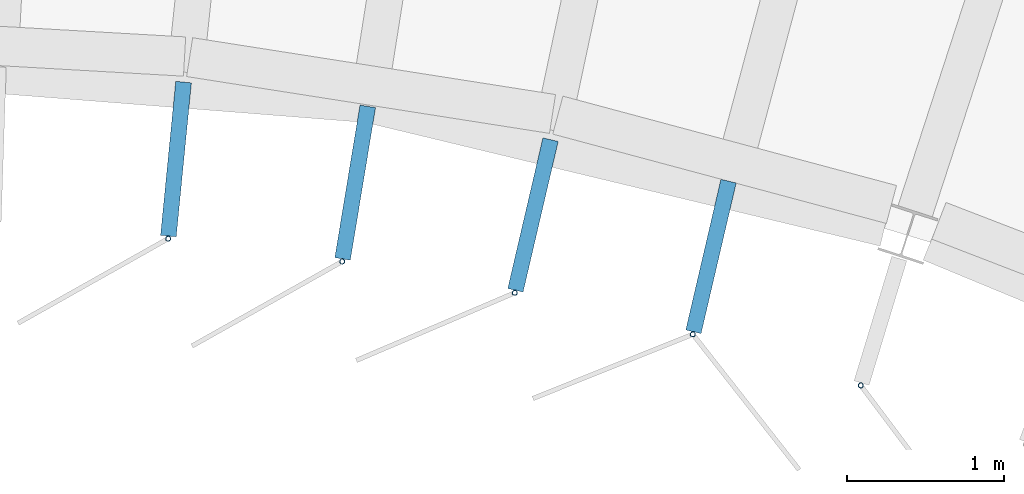
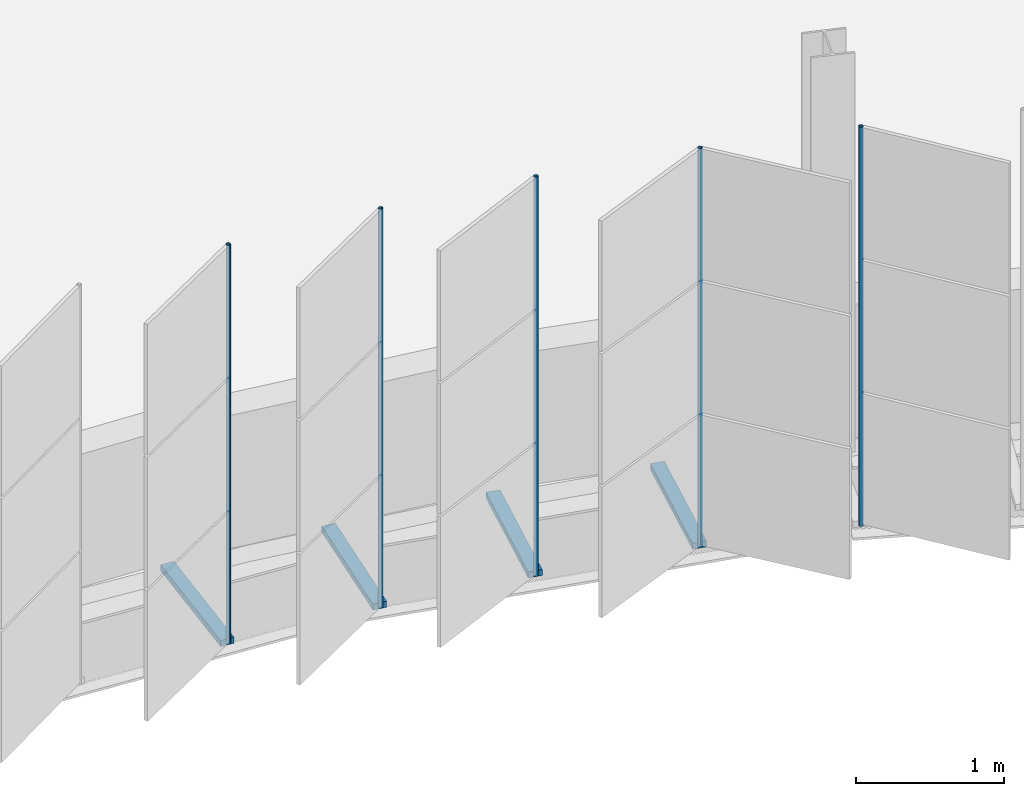
# One storey, part 114 of 199: 9 discrete accessories.
"""IFC4 building model written with IfcOpenShell, lengths in metres."""

from ifc_helpers import new_model, si_unit, direction, frame, origin, origin_2d, place, context, subcontext, project, spatial, rectangle, hollow_circle, extrude, material, material_profile, profile_set, type_object, element, save


model = new_model("IFC4")

# Units and contexts
model_context = context("Model", 3, precision=1e-05, world=origin(), true_north=direction((0.0, 1.0)))
body_context = subcontext(model_context, "Body", "Model", "MODEL_VIEW")
ifc_project = project(units=[si_unit("LENGTHUNIT", "METRE"), si_unit("AREAUNIT", "SQUARE_METRE"), si_unit("VOLUMEUNIT", "CUBIC_METRE"), si_unit("PLANEANGLEUNIT", "RADIAN"), si_unit("MASSUNIT", "GRAM", prefix="KILO")], contexts=[model_context])

# Site, building, storey
site_placement = place(None, origin())
site = spatial("IfcSite", under=ifc_project, at=site_placement, CompositionType="ELEMENT")
building_placement = place(site_placement, origin())
building = spatial("IfcBuilding", under=site, at=building_placement, Name="Parallax Yard Mobility Hub", CompositionType="ELEMENT")
storey_placement = place(building_placement, frame((0.0, 0.0, 9.89990234375)))
storey = spatial("IfcBuildingStorey", under=building, at=storey_placement, Name="L03", CompositionType="ELEMENT", Elevation=9.89990234375)

# Discrete accessories
ifc_material_1 = material(Name="Steel ASTM A36, hot-dip galvanised", Category="steel")
discrete_accessory_type_1 = type_object("IfcDiscreteAccessoryType", Name="Hinge bracket plate 100x50", PredefinedType="BRACKET", material=ifc_material_1)
for number, where, z_axis, x_axis, name in (
    (1, (174.797119140625, 111.876708984375, -0.02490234375), (0.0, 0.0, 1.0), (-0.09801714033, -0.995184726672, 0.0), "Hinge bracket plate bay 18.3 level L03"),
    (2, (175.937255859375, 111.726806640625, -0.02490234375), (0.0, 0.0, 1.0), (-0.162895473395, -0.986643332085, 0.0), "Hinge bracket plate bay 18.4 level L03"),
    (3, (177.068603515625, 111.52099609375, -0.02490234375), (0.0, 0.0, 1.0), (-0.227076263034, -0.973876979277, 0.0), "Hinge bracket plate bay 18.5 level L03"),
    (4, (178.201171875, 111.257080078125, -0.02490234375), (0.0, 0.0, 1.0), (-0.227076263034, -0.973876979277, 0.0), "Hinge bracket plate bay 18.6 level L03"),
):
    element("IfcDiscreteAccessory", number, at=place(storey_placement, frame(where, z_axis=z_axis, x_axis=x_axis)), inside=storey, type_object=discrete_accessory_type_1, Name=name, PredefinedType="BRACKET", context=body_context, shape_type="SweptSolid", body=[
        extrude(rectangle(XDim=0.984130859375, YDim=0.10009765625, at=origin_2d()), origin(), (0.0, 0.0, 1.0), 0.050048828125),
    ])
ifc_material_2 = material(Name="Steel ASTM A500 Gr C, hot-dip galvanised", Category="steel")
ifc_material_profile = material_profile(ifc_material_2, hollow_circle(Radius=0.016845703125, WallThickness=0.003173828125, at=origin_2d()), Name="CHS 33.7x3.2")
ifc_profile_set = profile_set([ifc_material_profile], Name="Steel ASTM A500 Gr C, hot-dip galvanised")
discrete_accessory_type_2 = type_object("IfcDiscreteAccessoryType", Name="Hinge post CHS 33.7x3.2", PredefinedType="BRACKET", material=ifc_profile_set)
for number, where, z_axis, x_axis, name in (
    (5, (174.747314453125, 111.37060546875, 0.0), (0.0, 0.0, 1.0), (1.0, 0.0, 0.0), "Hinge post bay 18.3 level L03"),
    (6, (175.8544921875, 111.22509765625, 0.0), (0.0, 0.0, 1.0), (1.0, 0.0, 0.0), "Hinge post bay 18.4 level L03"),
    (7, (176.953125, 111.02587890625, 0.0), (0.0, 0.0, 1.0), (1.0, 0.0, 0.0), "Hinge post bay 18.5 level L03"),
    (8, (178.085693359375, 110.761962890625, 0.0), (0.0, 0.0, 1.0), (1.0, 0.0, 0.0), "Hinge post bay 18.6 level L03"),
    (9, (179.154296875, 110.436279296875, 0.0), (0.0, 0.0, 1.0), (1.0, 0.0, 0.0), "Hinge post bay 19.1 level L03"),
):
    element("IfcDiscreteAccessory", number, at=place(storey_placement, frame(where, z_axis=z_axis, x_axis=x_axis)), inside=storey, type_object=discrete_accessory_type_2, Name=name, PredefinedType="BRACKET", context=body_context, shape_type="SweptSolid", body=[
        extrude(hollow_circle(Radius=0.016845703125, WallThickness=0.003173828125, at=origin_2d()), origin(), (0.0, 0.0, 1.0), 3.300048828125),
    ])

save(model, "model.ifc")
